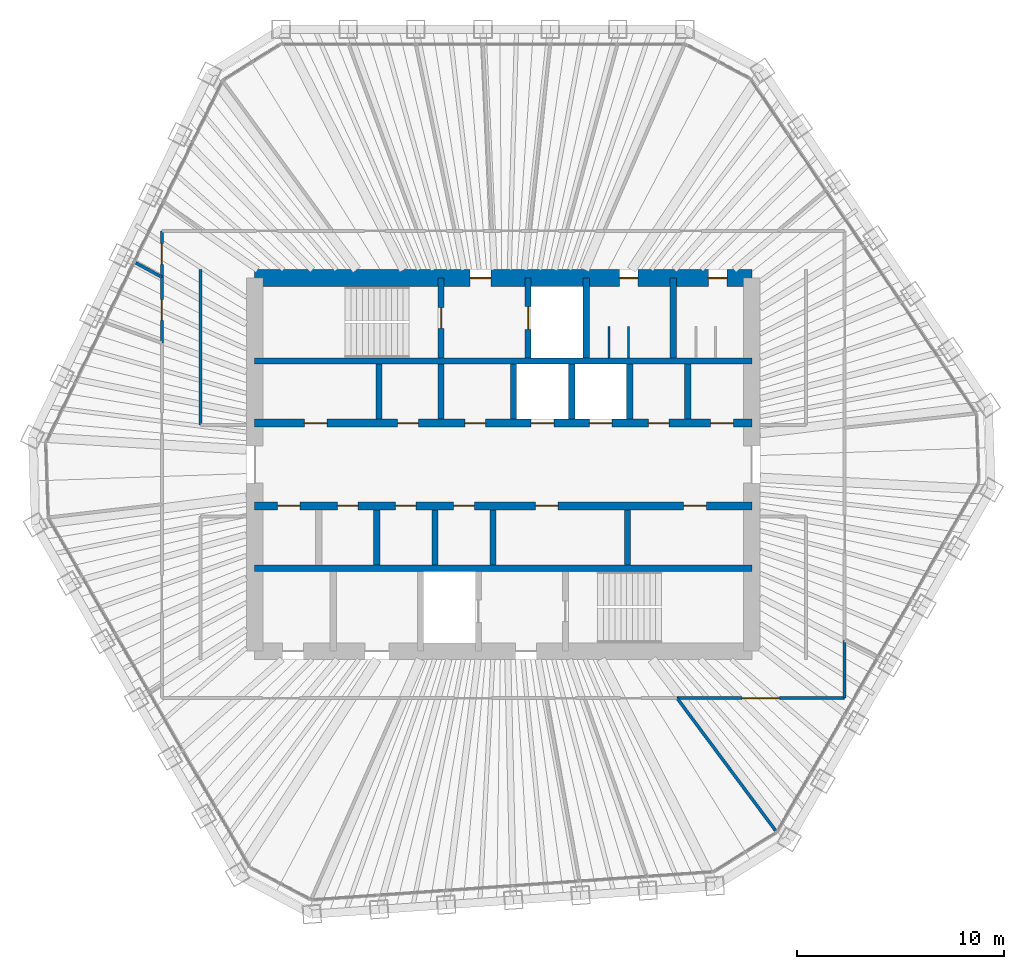
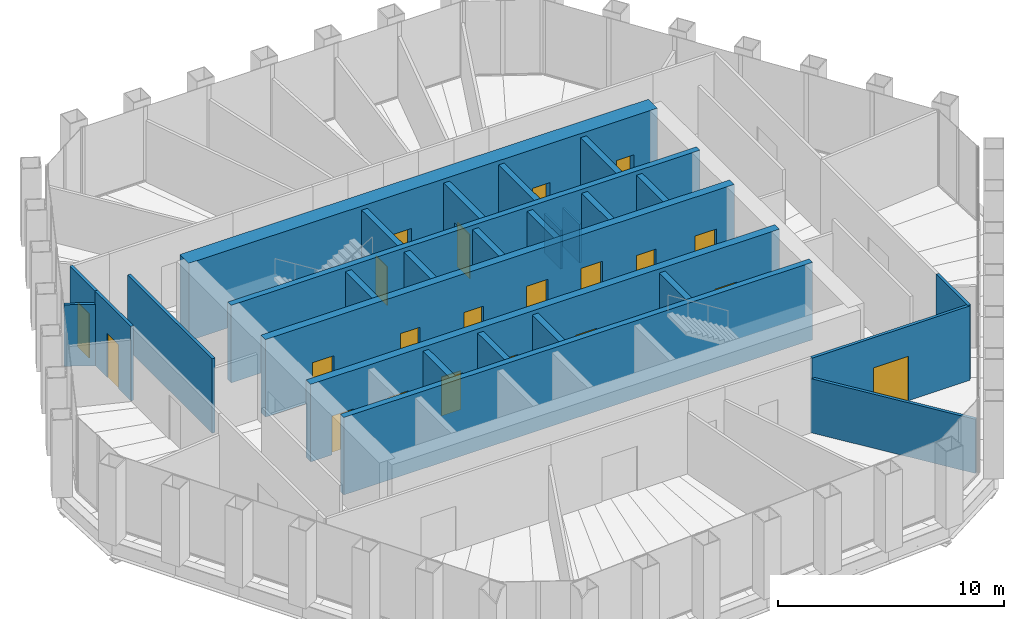
# One storey, part 12 of 14: 28 walls, 21 doors, 21 openings.
"""IFC4 building model written with IfcOpenShell, lengths in metres."""

from ifc_helpers import new_model, si_unit, direction, frame, frame_2d, origin, place, context, subcontext, project, spatial, rectangle, extrude, material, layer, layer_set, type_object, element, fill, save


model = new_model("IFC4")

# Units and contexts
model_context = context("Model", 3, precision=1e-05, world=origin(), true_north=direction((0.0, 1.0)))
body_context = subcontext(model_context, "Body", "Model", "MODEL_VIEW")
ifc_project = project(units=[si_unit("LENGTHUNIT", "METRE"), si_unit("AREAUNIT", "SQUARE_METRE"), si_unit("VOLUMEUNIT", "CUBIC_METRE"), si_unit("PLANEANGLEUNIT", "RADIAN"), si_unit("MASSUNIT", "GRAM", prefix="KILO")], contexts=[model_context])

# Site, building, storey
site_placement = place(None, origin())
site = spatial("IfcSite", under=ifc_project, at=site_placement, CompositionType="ELEMENT")
building_placement = place(site_placement, origin())
building = spatial("IfcBuilding", under=site, at=building_placement, Name="Qingtian Harvest Tower", CompositionType="ELEMENT")
storey_placement = place(building_placement, frame((0.0, 0.0, 316.60009765625)))
storey = spatial("IfcBuildingStorey", under=building, at=storey_placement, Name="L70", CompositionType="ELEMENT", Elevation=316.60009765625)

# Walls
ifc_material_1 = material(Name="Concrete fc' 70 MPa", Category="concrete")
ifc_layer_1 = layer(ifc_material_1, 0.300048828125)
ifc_layer_set_1 = layer_set([ifc_layer_1], Name="Core inner wall RC5 300")
wall_type_1 = type_object("IfcWallType", Name="Core inner wall RC5 300", PredefinedType="SHEAR", material=ifc_layer_set_1)
for number, where, z_axis, x_axis, name in (
    (1, (-12.0, 5.0, 0.0), (0.0, 0.0, 1.0), (1.0, 0.0, 0.0), "Core wall IN5 L70"),
    (2, (-12.0, -5.0, 0.0), (0.0, 0.0, 1.0), (1.0, 0.0, 0.0), "Core wall IS5 L70"),
):
    element("IfcWall", number, at=place(storey_placement, frame(where, z_axis=z_axis, x_axis=x_axis)), inside=storey, type_object=wall_type_1, Name=name, PredefinedType="SHEAR", context=body_context, shape_type="SweptSolid", body=[
        extrude(rectangle(XDim=24.0, YDim=0.300048828125, at=frame_2d((12.0, 0.0))), origin(), (0.0, 0.0, 1.0), 4.199951171875),
    ])

# Wall, openings, doors
ifc_material_2 = material(Name="Concrete fc' 70 MPa", Category="concrete")
ifc_layer_2 = layer(ifc_material_2, 0.39990234375)
ifc_layer_set_2 = layer_set([ifc_layer_2], Name="Core inner web RC6 400")
wall_type_2 = type_object("IfcWallType", Name="Core inner web RC6 400", PredefinedType="SHEAR", material=ifc_layer_set_2)
wall_1_placement = place(storey_placement, frame((-12.0, 2.0, 0.0), z_axis=(0.0, 0.0, 1.0), x_axis=(1.0, 0.0, 0.0)))
wall_1 = element("IfcWall", 3, at=wall_1_placement, inside=storey, type_object=wall_type_2, Name="Core wall IN2 L70", PredefinedType="SHEAR", context=body_context, shape_type="SweptSolid", body=[
    extrude(rectangle(XDim=24.0, YDim=0.39990234375, at=frame_2d((12.0, 0.0))), origin(), (0.0, 0.0, 1.0), 4.199951171875),
])
opening_1_placement = place(wall_1_placement, frame((2.39990234375, 0.0, 0.0)))
opening_1 = element("IfcOpeningElement", 4, at=opening_1_placement, cuts=wall_1, Name="Opening FD4", PredefinedType="OPENING", context=body_context, shape_type="SweptSolid", body=[
    extrude(rectangle(XDim=1.10009765625, YDim=2.10009765625, at=frame_2d((0.550048828125, 1.050048828125))), frame((0.0, 0.2099609375, 0.0), z_axis=(0.0, -1.0, 0.0), x_axis=(1.0, 0.0, 0.0)), (0.0, 0.0, 1.0), 0.419921875),
])
opening_2_placement = place(wall_1_placement, frame((22.0, 0.0, 0.0)))
opening_2 = element("IfcOpeningElement", 5, at=opening_2_placement, cuts=wall_1, Name="Opening FD4", PredefinedType="OPENING", context=body_context, shape_type="SweptSolid", body=[
    extrude(rectangle(XDim=1.10009765625, YDim=2.10009765625, at=frame_2d((0.550048828125, 1.050048828125))), frame((0.0, 0.2099609375, 0.0), z_axis=(0.0, -1.0, 0.0), x_axis=(1.0, 0.0, 0.0)), (0.0, 0.0, 1.0), 0.419921875),
])
opening_3_placement = place(wall_1_placement, frame((10.14990234375, 0.0, 0.0)))
opening_3 = element("IfcOpeningElement", 6, at=opening_3_placement, cuts=wall_1, Name="Opening FD1", PredefinedType="OPENING", context=body_context, shape_type="SweptSolid", body=[
    extrude(rectangle(XDim=1.0, YDim=2.10009765625, at=frame_2d((0.5, 1.050048828125))), frame((0.0, 0.2099609375, 0.0), z_axis=(0.0, -1.0, 0.0), x_axis=(1.0, 0.0, 0.0)), (0.0, 0.0, 1.0), 0.419921875),
])
opening_4_placement = place(wall_1_placement, frame((6.89990234375, 0.0, 0.0)))
opening_4 = element("IfcOpeningElement", 7, at=opening_4_placement, cuts=wall_1, Name="Opening FD1", PredefinedType="OPENING", context=body_context, shape_type="SweptSolid", body=[
    extrude(rectangle(XDim=1.0, YDim=2.10009765625, at=frame_2d((0.5, 1.050048828125))), frame((0.0, 0.2099609375, 0.0), z_axis=(0.0, -1.0, 0.0), x_axis=(1.0, 0.0, 0.0)), (0.0, 0.0, 1.0), 0.419921875),
])
opening_5_placement = place(wall_1_placement, frame((13.35009765625, 0.0, 0.0)))
opening_5 = element("IfcOpeningElement", 8, at=opening_5_placement, cuts=wall_1, Name="Opening LD1", PredefinedType="OPENING", context=body_context, shape_type="SweptSolid", body=[
    extrude(rectangle(XDim=1.10009765625, YDim=2.39990234375, at=frame_2d((0.550048828125, 1.199951171875))), frame((0.0, 0.2099609375, 0.0), z_axis=(0.0, -1.0, 0.0), x_axis=(1.0, 0.0, 0.0)), (0.0, 0.0, 1.0), 0.419921875),
])
opening_6_placement = place(wall_1_placement, frame((16.14990234375, 0.0, 0.0)))
opening_6 = element("IfcOpeningElement", 9, at=opening_6_placement, cuts=wall_1, Name="Opening LD1", PredefinedType="OPENING", context=body_context, shape_type="SweptSolid", body=[
    extrude(rectangle(XDim=1.10009765625, YDim=2.39990234375, at=frame_2d((0.550048828125, 1.199951171875))), frame((0.0, 0.2099609375, 0.0), z_axis=(0.0, -1.0, 0.0), x_axis=(1.0, 0.0, 0.0)), (0.0, 0.0, 1.0), 0.419921875),
])
opening_7_placement = place(wall_1_placement, frame((19.0, 0.0, 0.0)))
opening_7 = element("IfcOpeningElement", 10, at=opening_7_placement, cuts=wall_1, Name="Opening FD1", PredefinedType="OPENING", context=body_context, shape_type="SweptSolid", body=[
    extrude(rectangle(XDim=1.0, YDim=2.10009765625, at=frame_2d((0.5, 1.050048828125))), frame((0.0, 0.2099609375, 0.0), z_axis=(0.0, -1.0, 0.0), x_axis=(1.0, 0.0, 0.0)), (0.0, 0.0, 1.0), 0.419921875),
])
ifc_material_3 = material(Name="Steel-faced door leaf", Category="steel")
door_type_1 = type_object("IfcDoorType", Name="Fire door FD1 single 1 HR", OperationType="SINGLE_SWING_LEFT", PredefinedType="DOOR", material=ifc_material_3)
door_1_placement = place(opening_3_placement, origin())
door_1 = element("IfcDoor", 11, at=door_1_placement, inside=storey, type_object=door_type_1, Name="STA door L70", OperationType="SINGLE_SWING_LEFT", OverallHeight=2.10009765625, OverallWidth=1.0, PredefinedType="DOOR", context=body_context, shape_type="SweptSolid", body=[
    extrude(rectangle(XDim=1.0, YDim=2.10009765625, at=frame_2d((0.5, 1.050048828125))), frame((0.0, 0.02490234375, 0.0), z_axis=(0.0, -1.0, 0.0), x_axis=(1.0, 0.0, 0.0)), (0.0, 0.0, 1.0), 0.050048828125),
])
fill(opening_3, door_1)
door_2_placement = place(opening_4_placement, origin())
door_2 = element("IfcDoor", 12, at=door_2_placement, inside=storey, type_object=door_type_1, Name="Linen store door L70", OperationType="SINGLE_SWING_RIGHT", OverallHeight=2.10009765625, OverallWidth=1.0, PredefinedType="DOOR", context=body_context, shape_type="SweptSolid", body=[
    extrude(rectangle(XDim=1.0, YDim=2.10009765625, at=frame_2d((0.5, 1.050048828125))), frame((0.0, 0.02490234375, 0.0), z_axis=(0.0, -1.0, 0.0), x_axis=(1.0, 0.0, 0.0)), (0.0, 0.0, 1.0), 0.050048828125),
])
fill(opening_4, door_2)
door_3_placement = place(opening_7_placement, origin())
door_3 = element("IfcDoor", 13, at=door_3_placement, inside=storey, type_object=door_type_1, Name="Tool store door L70", OperationType="SINGLE_SWING_RIGHT", OverallHeight=2.10009765625, OverallWidth=1.0, PredefinedType="DOOR", context=body_context, shape_type="SweptSolid", body=[
    extrude(rectangle(XDim=1.0, YDim=2.10009765625, at=frame_2d((0.5, 1.050048828125))), frame((0.0, 0.02490234375, 0.0), z_axis=(0.0, -1.0, 0.0), x_axis=(1.0, 0.0, 0.0)), (0.0, 0.0, 1.0), 0.050048828125),
])
fill(opening_7, door_3)
ifc_material_4 = material(Name="Steel-faced door leaf", Category="steel")
door_type_2 = type_object("IfcDoorType", Name="Fire door FD4 single 2 HR", OperationType="SINGLE_SWING_LEFT", PredefinedType="DOOR", material=ifc_material_4)
door_4_placement = place(opening_1_placement, origin())
door_4 = element("IfcDoor", 14, at=door_4_placement, inside=storey, type_object=door_type_2, Name="RA door L70", OperationType="SINGLE_SWING_LEFT", OverallHeight=2.10009765625, OverallWidth=1.10009765625, PredefinedType="DOOR", context=body_context, shape_type="SweptSolid", body=[
    extrude(rectangle(XDim=1.10009765625, YDim=2.10009765625, at=frame_2d((0.550048828125, 1.050048828125))), frame((0.0, 0.02490234375, 0.0), z_axis=(0.0, -1.0, 0.0), x_axis=(1.0, 0.0, 0.0)), (0.0, 0.0, 1.0), 0.050048828125),
])
fill(opening_1, door_4)
door_5_placement = place(opening_2_placement, origin())
door_5 = element("IfcDoor", 15, at=door_5_placement, inside=storey, type_object=door_type_2, Name="AHU door L70", OperationType="SINGLE_SWING_RIGHT", OverallHeight=2.10009765625, OverallWidth=1.10009765625, PredefinedType="DOOR", context=body_context, shape_type="SweptSolid", body=[
    extrude(rectangle(XDim=1.10009765625, YDim=2.10009765625, at=frame_2d((0.550048828125, 1.050048828125))), frame((0.0, 0.02490234375, 0.0), z_axis=(0.0, -1.0, 0.0), x_axis=(1.0, 0.0, 0.0)), (0.0, 0.0, 1.0), 0.050048828125),
])
fill(opening_2, door_5)
ifc_material_5 = material(Name="Stainless steel lift landing door", Category="steel")
door_type_3 = type_object("IfcDoorType", Name="Lift landing door LD1 1 HR", OperationType="DOUBLE_DOOR_SLIDING", PredefinedType="DOOR", material=ifc_material_5)
door_6_placement = place(opening_5_placement, origin())
door_6 = element("IfcDoor", 16, at=door_6_placement, inside=storey, type_object=door_type_3, Name="PLD1 landing door L70", OperationType="DOUBLE_DOOR_SLIDING", OverallHeight=2.39990234375, OverallWidth=1.10009765625, PredefinedType="DOOR", context=body_context, shape_type="SweptSolid", body=[
    extrude(rectangle(XDim=1.10009765625, YDim=2.39990234375, at=frame_2d((0.550048828125, 1.199951171875))), frame((0.0, 0.02490234375, 0.0), z_axis=(0.0, -1.0, 0.0), x_axis=(1.0, 0.0, 0.0)), (0.0, 0.0, 1.0), 0.050048828125),
])
fill(opening_5, door_6)
door_7_placement = place(opening_6_placement, origin())
door_7 = element("IfcDoor", 17, at=door_7_placement, inside=storey, type_object=door_type_3, Name="PLD2 landing door L70", OperationType="DOUBLE_DOOR_SLIDING", OverallHeight=2.39990234375, OverallWidth=1.10009765625, PredefinedType="DOOR", context=body_context, shape_type="SweptSolid", body=[
    extrude(rectangle(XDim=1.10009765625, YDim=2.39990234375, at=frame_2d((0.550048828125, 1.199951171875))), frame((0.0, 0.02490234375, 0.0), z_axis=(0.0, -1.0, 0.0), x_axis=(1.0, 0.0, 0.0)), (0.0, 0.0, 1.0), 0.050048828125),
])
fill(opening_6, door_7)

wall_2_placement = place(storey_placement, frame((-12.0, -2.0, 0.0), z_axis=(0.0, 0.0, 1.0), x_axis=(1.0, 0.0, 0.0)))
wall_2 = element("IfcWall", 18, at=wall_2_placement, inside=storey, type_object=wall_type_2, Name="Core wall IS2 L70", PredefinedType="SHEAR", context=body_context, shape_type="SweptSolid", body=[
    extrude(rectangle(XDim=24.0, YDim=0.39990234375, at=frame_2d((12.0, 0.0))), origin(), (0.0, 0.0, 1.0), 4.199951171875),
])
opening_8_placement = place(wall_2_placement, frame((1.10009765625, 0.0, 0.0)))
opening_8 = element("IfcOpeningElement", 19, at=opening_8_placement, cuts=wall_2, Name="Opening FD4", PredefinedType="OPENING", context=body_context, shape_type="SweptSolid", body=[
    extrude(rectangle(XDim=1.10009765625, YDim=2.10009765625, at=frame_2d((0.550048828125, 1.050048828125))), frame((0.0, 0.2099609375, 0.0), z_axis=(0.0, -1.0, 0.0), x_axis=(1.0, 0.0, 0.0)), (0.0, 0.0, 1.0), 0.419921875),
])
opening_9_placement = place(wall_2_placement, frame((13.550048828125, 0.0, 0.0)))
opening_9 = element("IfcOpeningElement", 20, at=opening_9_placement, cuts=wall_2, Name="Opening FD4", PredefinedType="OPENING", context=body_context, shape_type="SweptSolid", body=[
    extrude(rectangle(XDim=1.10009765625, YDim=2.10009765625, at=frame_2d((0.550048828125, 1.050048828125))), frame((0.0, 0.2099609375, 0.0), z_axis=(0.0, -1.0, 0.0), x_axis=(1.0, 0.0, 0.0)), (0.0, 0.0, 1.0), 0.419921875),
])
opening_10_placement = place(wall_2_placement, frame((20.699951171875, 0.0, 0.0)))
opening_10 = element("IfcOpeningElement", 21, at=opening_10_placement, cuts=wall_2, Name="Opening FD4", PredefinedType="OPENING", context=body_context, shape_type="SweptSolid", body=[
    extrude(rectangle(XDim=1.10009765625, YDim=2.10009765625, at=frame_2d((0.550048828125, 1.050048828125))), frame((0.0, 0.2099609375, 0.0), z_axis=(0.0, -1.0, 0.0), x_axis=(1.0, 0.0, 0.0)), (0.0, 0.0, 1.0), 0.419921875),
])
opening_11_placement = place(wall_2_placement, frame((4.0, 0.0, 0.0)))
opening_11 = element("IfcOpeningElement", 22, at=opening_11_placement, cuts=wall_2, Name="Opening FD1", PredefinedType="OPENING", context=body_context, shape_type="SweptSolid", body=[
    extrude(rectangle(XDim=1.0, YDim=2.10009765625, at=frame_2d((0.5, 1.050048828125))), frame((0.0, 0.2099609375, 0.0), z_axis=(0.0, -1.0, 0.0), x_axis=(1.0, 0.0, 0.0)), (0.0, 0.0, 1.0), 0.419921875),
])
opening_12_placement = place(wall_2_placement, frame((6.800048828125, 0.0, 0.0)))
opening_12 = element("IfcOpeningElement", 23, at=opening_12_placement, cuts=wall_2, Name="Opening FD1", PredefinedType="OPENING", context=body_context, shape_type="SweptSolid", body=[
    extrude(rectangle(XDim=1.0, YDim=2.10009765625, at=frame_2d((0.5, 1.050048828125))), frame((0.0, 0.2099609375, 0.0), z_axis=(0.0, -1.0, 0.0), x_axis=(1.0, 0.0, 0.0)), (0.0, 0.0, 1.0), 0.419921875),
])
opening_13_placement = place(wall_2_placement, frame((9.60009765625, 0.0, 0.0)))
opening_13 = element("IfcOpeningElement", 24, at=opening_13_placement, cuts=wall_2, Name="Opening FD1", PredefinedType="OPENING", context=body_context, shape_type="SweptSolid", body=[
    extrude(rectangle(XDim=1.0, YDim=2.10009765625, at=frame_2d((0.5, 1.050048828125))), frame((0.0, 0.2099609375, 0.0), z_axis=(0.0, -1.0, 0.0), x_axis=(1.0, 0.0, 0.0)), (0.0, 0.0, 1.0), 0.419921875),
])
door_8_placement = place(opening_11_placement, origin())
door_8 = element("IfcDoor", 25, at=door_8_placement, inside=storey, type_object=door_type_1, Name="Archive store door L70", OperationType="SINGLE_SWING_RIGHT", OverallHeight=2.10009765625, OverallWidth=1.0, PredefinedType="DOOR", context=body_context, shape_type="SweptSolid", body=[
    extrude(rectangle(XDim=1.0, YDim=2.10009765625, at=frame_2d((0.5, 1.050048828125))), frame((0.0, 0.02490234375, 0.0), z_axis=(0.0, -1.0, 0.0), x_axis=(1.0, 0.0, 0.0)), (0.0, 0.0, 1.0), 0.050048828125),
])
fill(opening_11, door_8)
door_9_placement = place(opening_12_placement, origin())
door_9 = element("IfcDoor", 26, at=door_9_placement, inside=storey, type_object=door_type_1, Name="Staff WC door L70", OperationType="SINGLE_SWING_RIGHT", OverallHeight=2.10009765625, OverallWidth=1.0, PredefinedType="DOOR", context=body_context, shape_type="SweptSolid", body=[
    extrude(rectangle(XDim=1.0, YDim=2.10009765625, at=frame_2d((0.5, 1.050048828125))), frame((0.0, 0.02490234375, 0.0), z_axis=(0.0, -1.0, 0.0), x_axis=(1.0, 0.0, 0.0)), (0.0, 0.0, 1.0), 0.050048828125),
])
fill(opening_12, door_9)
door_10_placement = place(opening_13_placement, origin())
door_10 = element("IfcDoor", 27, at=door_10_placement, inside=storey, type_object=door_type_1, Name="IT room door L70", OperationType="SINGLE_SWING_RIGHT", OverallHeight=2.10009765625, OverallWidth=1.0, PredefinedType="DOOR", context=body_context, shape_type="SweptSolid", body=[
    extrude(rectangle(XDim=1.0, YDim=2.10009765625, at=frame_2d((0.5, 1.050048828125))), frame((0.0, 0.02490234375, 0.0), z_axis=(0.0, -1.0, 0.0), x_axis=(1.0, 0.0, 0.0)), (0.0, 0.0, 1.0), 0.050048828125),
])
fill(opening_13, door_10)
door_11_placement = place(opening_8_placement, origin())
door_11 = element("IfcDoor", 28, at=door_11_placement, inside=storey, type_object=door_type_2, Name="RB door L70", OperationType="SINGLE_SWING_LEFT", OverallHeight=2.10009765625, OverallWidth=1.10009765625, PredefinedType="DOOR", context=body_context, shape_type="SweptSolid", body=[
    extrude(rectangle(XDim=1.10009765625, YDim=2.10009765625, at=frame_2d((0.550048828125, 1.050048828125))), frame((0.0, 0.02490234375, 0.0), z_axis=(0.0, -1.0, 0.0), x_axis=(1.0, 0.0, 0.0)), (0.0, 0.0, 1.0), 0.050048828125),
])
fill(opening_8, door_11)
door_12_placement = place(opening_9_placement, origin())
door_12 = element("IfcDoor", 29, at=door_12_placement, inside=storey, type_object=door_type_2, Name="ELEC door L70", OperationType="SINGLE_SWING_RIGHT", OverallHeight=2.10009765625, OverallWidth=1.10009765625, PredefinedType="DOOR", context=body_context, shape_type="SweptSolid", body=[
    extrude(rectangle(XDim=1.10009765625, YDim=2.10009765625, at=frame_2d((0.550048828125, 1.050048828125))), frame((0.0, 0.02490234375, 0.0), z_axis=(0.0, -1.0, 0.0), x_axis=(1.0, 0.0, 0.0)), (0.0, 0.0, 1.0), 0.050048828125),
])
fill(opening_9, door_12)
door_13_placement = place(opening_10_placement, origin())
door_13 = element("IfcDoor", 30, at=door_13_placement, inside=storey, type_object=door_type_2, Name="DUCT door L70", OperationType="SINGLE_SWING_LEFT", OverallHeight=2.10009765625, OverallWidth=1.10009765625, PredefinedType="DOOR", context=body_context, shape_type="SweptSolid", body=[
    extrude(rectangle(XDim=1.10009765625, YDim=2.10009765625, at=frame_2d((0.550048828125, 1.050048828125))), frame((0.0, 0.02490234375, 0.0), z_axis=(0.0, -1.0, 0.0), x_axis=(1.0, 0.0, 0.0)), (0.0, 0.0, 1.0), 0.050048828125),
])
fill(opening_10, door_13)

# Wall, opening, door
ifc_material_6 = material(Name="Precast concrete shaft panel", Category="concrete")
ifc_layer_3 = layer(ifc_material_6, 0.300048828125)
ifc_layer_set_3 = layer_set([ifc_layer_3], Name="Core shaft partition SW1 300")
wall_type_3 = type_object("IfcWallType", Name="Core shaft partition SW1 300", PredefinedType="PARTITIONING", material=ifc_layer_set_3)
wall_3_placement = place(storey_placement, frame((-3.0, 5.14990234375, 0.0), z_axis=(0.0, 0.0, 1.0), x_axis=(0.0, 1.0, 0.0)))
wall_3 = element("IfcWall", 31, at=wall_3_placement, inside=storey, type_object=wall_type_3, Name="Core shaft partition XN1 L70", PredefinedType="PARTITIONING", context=body_context, shape_type="SweptSolid", body=[
    extrude(rectangle(XDim=3.85009765625, YDim=0.300048828125, at=frame_2d((1.925048828125, 0.0))), origin(), (0.0, 0.0, 1.0), 3.97998046875),
])
opening_14_placement = place(wall_3_placement, frame((1.425048828125, 0.0, 0.0)))
opening_14 = element("IfcOpeningElement", 32, at=opening_14_placement, cuts=wall_3, Name="Opening FD1", PredefinedType="OPENING", context=body_context, shape_type="SweptSolid", body=[
    extrude(rectangle(XDim=1.0, YDim=2.10009765625, at=frame_2d((0.5, 1.050048828125))), frame((0.0, 0.159912109375, 0.0), z_axis=(0.0, -1.0, 0.0), x_axis=(1.0, 0.0, 0.0)), (0.0, 0.0, 1.0), 0.320068359375),
])
door_14_placement = place(opening_14_placement, origin())
door_14 = element("IfcDoor", 33, at=door_14_placement, inside=storey, type_object=door_type_1, Name="S1 door L70", OperationType="SINGLE_SWING_RIGHT", OverallHeight=2.10009765625, OverallWidth=1.0, PredefinedType="DOOR", context=body_context, shape_type="SweptSolid", body=[
    extrude(rectangle(XDim=1.0, YDim=2.10009765625, at=frame_2d((0.5, 1.050048828125))), frame((0.0, 0.02490234375, 0.0), z_axis=(0.0, -1.0, 0.0), x_axis=(1.0, 0.0, 0.0)), (0.0, 0.0, 1.0), 0.050048828125),
])
fill(opening_14, door_14)

wall_4_placement = place(storey_placement, frame((1.199951171875, 5.14990234375, 0.0), z_axis=(0.0, 0.0, 1.0), x_axis=(0.0, 1.0, 0.0)))
wall_4 = element("IfcWall", 34, at=wall_4_placement, inside=storey, type_object=wall_type_3, Name="Core shaft partition XN2 L70", PredefinedType="PARTITIONING", context=body_context, shape_type="SweptSolid", body=[
    extrude(rectangle(XDim=3.85009765625, YDim=0.300048828125, at=frame_2d((1.925048828125, 0.0))), origin(), (0.0, 0.0, 1.0), 3.97998046875),
])
opening_15_placement = place(wall_4_placement, frame((1.375, 0.0, 0.0)))
opening_15 = element("IfcOpeningElement", 35, at=opening_15_placement, cuts=wall_4, Name="Opening LD1", PredefinedType="OPENING", context=body_context, shape_type="SweptSolid", body=[
    extrude(rectangle(XDim=1.10009765625, YDim=2.39990234375, at=frame_2d((0.550048828125, 1.199951171875))), frame((0.0, 0.159912109375, 0.0), z_axis=(0.0, -1.0, 0.0), x_axis=(1.0, 0.0, 0.0)), (0.0, 0.0, 1.0), 0.320068359375),
])
door_15_placement = place(opening_15_placement, origin())
door_15 = element("IfcDoor", 36, at=door_15_placement, inside=storey, type_object=door_type_3, Name="FL1 landing door L70", OperationType="DOUBLE_DOOR_SLIDING", OverallHeight=2.39990234375, OverallWidth=1.10009765625, PredefinedType="DOOR", context=body_context, shape_type="SweptSolid", body=[
    extrude(rectangle(XDim=1.10009765625, YDim=2.39990234375, at=frame_2d((0.550048828125, 1.199951171875))), frame((0.0, 0.02490234375, 0.0), z_axis=(0.0, -1.0, 0.0), x_axis=(1.0, 0.0, 0.0)), (0.0, 0.0, 1.0), 0.050048828125),
])
fill(opening_15, door_15)

# Walls
for number, where, z_axis, x_axis, name in (
    (37, (4.0, 5.14990234375, 0.0), (0.0, 0.0, 1.0), (0.0, 1.0, 0.0), "Core shaft partition XN3 L70"),
    (38, (8.199951171875, 5.14990234375, 0.0), (0.0, 0.0, 1.0), (0.0, 1.0, 0.0), "Core shaft partition XN4 L70"),
):
    element("IfcWall", number, at=place(storey_placement, frame(where, z_axis=z_axis, x_axis=x_axis)), inside=storey, type_object=wall_type_3, Name=name, PredefinedType="PARTITIONING", context=body_context, shape_type="SweptSolid", body=[
        extrude(rectangle(XDim=3.85009765625, YDim=0.300048828125, at=frame_2d((1.925048828125, 0.0))), origin(), (0.0, 0.0, 1.0), 3.97998046875),
    ])
for number, where, z_axis, x_axis, name in (
    (39, (-6.0, 2.199951171875, 0.0), (0.0, 0.0, 1.0), (0.0, 1.0, 0.0), "Core shaft partition XA1 L70"),
    (40, (-3.0, 2.199951171875, 0.0), (0.0, 0.0, 1.0), (0.0, 1.0, 0.0), "Core shaft partition XA2 L70"),
    (41, (0.5, 2.199951171875, 0.0), (0.0, 0.0, 1.0), (0.0, 1.0, 0.0), "Core shaft partition XA3 L70"),
    (42, (3.300048828125, 2.199951171875, 0.0), (0.0, 0.0, 1.0), (0.0, 1.0, 0.0), "Core shaft partition XA4 L70"),
    (43, (6.10009765625, 2.199951171875, 0.0), (0.0, 0.0, 1.0), (0.0, 1.0, 0.0), "Core shaft partition XA5 L70"),
    (44, (8.89990234375, 2.199951171875, 0.0), (0.0, 0.0, 1.0), (0.0, 1.0, 0.0), "Core shaft partition XA6 L70"),
    (45, (-6.10009765625, -4.85009765625, 0.0), (0.0, 0.0, 1.0), (0.0, 1.0, 0.0), "Core shaft partition XB2 L70"),
    (46, (-3.300048828125, -4.85009765625, 0.0), (0.0, 0.0, 1.0), (0.0, 1.0, 0.0), "Core shaft partition XB3 L70"),
    (47, (-0.5, -4.85009765625, 0.0), (0.0, 0.0, 1.0), (0.0, 1.0, 0.0), "Core shaft partition XB4 L70"),
    (48, (6.0, -4.85009765625, 0.0), (0.0, 0.0, 1.0), (0.0, 1.0, 0.0), "Core shaft partition XB5 L70"),
):
    element("IfcWall", number, at=place(storey_placement, frame(where, z_axis=z_axis, x_axis=x_axis)), inside=storey, type_object=wall_type_3, Name=name, PredefinedType="PARTITIONING", context=body_context, shape_type="SweptSolid", body=[
        extrude(rectangle(XDim=2.650146484375, YDim=0.300048828125, at=frame_2d((1.3251953125, 0.0))), origin(), (0.0, 0.0, 1.0), 3.97998046875),
    ])

# Wall, openings, doors
ifc_material_7 = material(Name="Concrete fc' 70 MPa", Category="concrete")
ifc_layer_4 = layer(ifc_material_7, 0.800048828125)
ifc_layer_set_4 = layer_set([ifc_layer_4], Name="Core wall RC4 800")
wall_type_4 = type_object("IfcWallType", Name="Core wall RC4 800", PredefinedType="SHEAR", material=ifc_layer_set_4)
wall_5_placement = place(storey_placement, frame((-12.0, 9.0, 0.0), z_axis=(0.0, 0.0, 1.0), x_axis=(1.0, 0.0, 0.0)))
wall_5 = element("IfcWall", 49, at=wall_5_placement, inside=storey, type_object=wall_type_4, Name="Core wall CN L70", PredefinedType="SHEAR", context=body_context, shape_type="SweptSolid", body=[
    extrude(rectangle(XDim=24.0, YDim=0.800048828125, at=frame_2d((12.0, 0.0))), origin(), (0.0, 0.0, 1.0), 4.199951171875),
])
opening_16_placement = place(wall_5_placement, frame((10.39990234375, 0.0, 0.0)))
opening_16 = element("IfcOpeningElement", 50, at=opening_16_placement, cuts=wall_5, Name="Opening FD1", PredefinedType="OPENING", context=body_context, shape_type="SweptSolid", body=[
    extrude(rectangle(XDim=1.0, YDim=2.10009765625, at=frame_2d((0.5, 1.050048828125))), frame((0.0, 0.409912109375, 0.0), z_axis=(0.0, -1.0, 0.0), x_axis=(1.0, 0.0, 0.0)), (0.0, 0.0, 1.0), 0.820068359375),
])
opening_17_placement = place(wall_5_placement, frame((17.60009765625, 0.0, 0.0)))
opening_17 = element("IfcOpeningElement", 51, at=opening_17_placement, cuts=wall_5, Name="Opening D1", PredefinedType="OPENING", context=body_context, shape_type="SweptSolid", body=[
    extrude(rectangle(XDim=0.89990234375, YDim=2.10009765625, at=frame_2d((0.449951171875, 1.050048828125))), frame((0.0, 0.409912109375, 0.0), z_axis=(0.0, -1.0, 0.0), x_axis=(1.0, 0.0, 0.0)), (0.0, 0.0, 1.0), 0.820068359375),
])
opening_18_placement = place(wall_5_placement, frame((21.89990234375, 0.0, 0.0)))
opening_18 = element("IfcOpeningElement", 52, at=opening_18_placement, cuts=wall_5, Name="Opening D1", PredefinedType="OPENING", context=body_context, shape_type="SweptSolid", body=[
    extrude(rectangle(XDim=0.89990234375, YDim=2.10009765625, at=frame_2d((0.449951171875, 1.050048828125))), frame((0.0, 0.409912109375, 0.0), z_axis=(0.0, -1.0, 0.0), x_axis=(1.0, 0.0, 0.0)), (0.0, 0.0, 1.0), 0.820068359375),
])
door_16_placement = place(opening_16_placement, origin())
door_16 = element("IfcDoor", 53, at=door_16_placement, inside=storey, type_object=door_type_1, Name="V1 door L70", OperationType="SINGLE_SWING_LEFT", OverallHeight=2.10009765625, OverallWidth=1.0, PredefinedType="DOOR", context=body_context, shape_type="SweptSolid", body=[
    extrude(rectangle(XDim=1.0, YDim=2.10009765625, at=frame_2d((0.5, 1.050048828125))), frame((0.0, 0.02490234375, 0.0), z_axis=(0.0, -1.0, 0.0), x_axis=(1.0, 0.0, 0.0)), (0.0, 0.0, 1.0), 0.050048828125),
])
fill(opening_16, door_16)
ifc_material_8 = material(Name="Laminated timber door leaf", Category="wood")
door_type_4 = type_object("IfcDoorType", Name="Toilet door D1 single", OperationType="SINGLE_SWING_LEFT", PredefinedType="DOOR", material=ifc_material_8)
door_17_placement = place(opening_17_placement, origin())
door_17 = element("IfcDoor", 54, at=door_17_placement, inside=storey, type_object=door_type_4, Name="WCM door L70", OperationType="SINGLE_SWING_LEFT", OverallHeight=2.10009765625, OverallWidth=0.89990234375, PredefinedType="DOOR", context=body_context, shape_type="SweptSolid", body=[
    extrude(rectangle(XDim=0.89990234375, YDim=2.10009765625, at=frame_2d((0.449951171875, 1.050048828125))), frame((0.0, 0.02490234375, 0.0), z_axis=(0.0, -1.0, 0.0), x_axis=(1.0, 0.0, 0.0)), (0.0, 0.0, 1.0), 0.050048828125),
])
fill(opening_17, door_17)
door_18_placement = place(opening_18_placement, origin())
door_18 = element("IfcDoor", 55, at=door_18_placement, inside=storey, type_object=door_type_4, Name="WCF door L70", OperationType="SINGLE_SWING_LEFT", OverallHeight=2.10009765625, OverallWidth=0.89990234375, PredefinedType="DOOR", context=body_context, shape_type="SweptSolid", body=[
    extrude(rectangle(XDim=0.89990234375, YDim=2.10009765625, at=frame_2d((0.449951171875, 1.050048828125))), frame((0.0, 0.02490234375, 0.0), z_axis=(0.0, -1.0, 0.0), x_axis=(1.0, 0.0, 0.0)), (0.0, 0.0, 1.0), 0.050048828125),
])
fill(opening_18, door_18)

# Wall
ifc_material_9 = material(Name="Gypsum board on steel studs", Category="steel")
ifc_layer_5 = layer(ifc_material_9, 0.14990234375)
ifc_layer_set_5 = layer_set([ifc_layer_5], Name="Partition PT1 150")
wall_type_5 = type_object("IfcWallType", Name="Partition PT1 150", PredefinedType="PARTITIONING", material=ifc_layer_set_5)
wall_6_placement = place(storey_placement, frame((16.47509765625, -8.48193359375, 0.0), z_axis=(0.0, 0.0, 1.0), x_axis=(0.0, -1.0, 0.0)))
element("IfcWall", 56, at=wall_6_placement, inside=storey, type_object=wall_type_5, Name="Workplace zone wall L70", PredefinedType="PARTITIONING", context=body_context, shape_type="SweptSolid", body=[
    extrude(rectangle(XDim=2.79296875, YDim=0.14990234375, at=frame_2d((1.396484375, 0.0))), origin(), (0.0, 0.0, 1.0), 4.02978515625),
])

# Wall, opening, door
wall_7_placement = place(storey_placement, frame((16.47509765625, -11.27490234375, 0.0), z_axis=(0.0, 0.0, 1.0), x_axis=(-1.0, 0.0, 0.0)))
wall_7 = element("IfcWall", 57, at=wall_7_placement, inside=storey, type_object=wall_type_5, Name="Workplace zone wall L70", PredefinedType="PARTITIONING", context=body_context, shape_type="SweptSolid", body=[
    extrude(rectangle(XDim=8.087890625, YDim=0.14990234375, at=frame_2d((4.0439453125, 0.0))), origin(), (0.0, 0.0, 1.0), 4.02978515625),
])
opening_19_placement = place(wall_7_placement, frame((3.14404296875, 0.0, 0.0)))
opening_19 = element("IfcOpeningElement", 58, at=opening_19_placement, cuts=wall_7, Name="Opening D3", PredefinedType="OPENING", context=body_context, shape_type="SweptSolid", body=[
    extrude(rectangle(XDim=1.800048828125, YDim=2.39990234375, at=frame_2d((0.89990234375, 1.199951171875))), frame((0.0, 0.0849609375, 0.0), z_axis=(0.0, -1.0, 0.0), x_axis=(1.0, 0.0, 0.0)), (0.0, 0.0, 1.0), 0.169921875),
])
ifc_material_10 = material(Name="Laminated timber door leaf", Category="wood")
door_type_5 = type_object("IfcDoorType", Name="Room door D3 double", OperationType="DOUBLE_DOOR_DOUBLE_SWING", PredefinedType="DOOR", material=ifc_material_10)
door_19_placement = place(opening_19_placement, origin())
door_19 = element("IfcDoor", 59, at=door_19_placement, inside=storey, type_object=door_type_5, Name="Workplace zone door L70", OperationType="DOUBLE_DOOR_DOUBLE_SWING", OverallHeight=2.39990234375, OverallWidth=1.800048828125, PredefinedType="DOOR", context=body_context, shape_type="SweptSolid", body=[
    extrude(rectangle(XDim=1.800048828125, YDim=2.39990234375, at=frame_2d((0.89990234375, 1.199951171875))), frame((0.0, 0.02490234375, 0.0), z_axis=(0.0, -1.0, 0.0), x_axis=(1.0, 0.0, 0.0)), (0.0, 0.0, 1.0), 0.050048828125),
])
fill(opening_19, door_19)

# Wall
wall_8_placement = place(storey_placement, frame((13.1376953125, -17.661376953125, 0.0), z_axis=(0.0, 0.0, 1.0), x_axis=(-0.596829877953, 0.802367806422, 0.0)))
element("IfcWall", 60, at=wall_8_placement, inside=storey, type_object=wall_type_5, Name="Private office wall L70", PredefinedType="PARTITIONING", context=body_context, shape_type="SweptSolid", body=[
    extrude(rectangle(XDim=7.95947265625, YDim=0.14990234375, at=frame_2d((3.979736328125, 0.0))), origin(), (0.0, 0.0, 1.0), 2.929931640625),
])

# Wall, opening, door
wall_9_placement = place(storey_placement, frame((-16.47509765625, 5.873046875, 0.0), z_axis=(0.0, 0.0, 1.0), x_axis=(0.0, 1.0, 0.0)))
wall_9 = element("IfcWall", 61, at=wall_9_placement, inside=storey, type_object=wall_type_5, Name="Focus room wall L70", PredefinedType="PARTITIONING", context=body_context, shape_type="SweptSolid", body=[
    extrude(rectangle(XDim=3.168701171875, YDim=0.14990234375, at=frame_2d((1.58447265625, 0.0))), origin(), (0.0, 0.0, 1.0), 4.02978515625),
])
opening_20_placement = place(wall_9_placement, frame((1.08447265625, 0.0, 0.0)))
opening_20 = element("IfcOpeningElement", 62, at=opening_20_placement, cuts=wall_9, Name="Opening D2", PredefinedType="OPENING", context=body_context, shape_type="SweptSolid", body=[
    extrude(rectangle(XDim=1.0, YDim=2.39990234375, at=frame_2d((0.5, 1.199951171875))), frame((0.0, 0.0849609375, 0.0), z_axis=(0.0, -1.0, 0.0), x_axis=(1.0, 0.0, 0.0)), (0.0, 0.0, 1.0), 0.169921875),
])
ifc_material_11 = material(Name="Laminated timber door leaf", Category="wood")
door_type_6 = type_object("IfcDoorType", Name="Room door D2 single", OperationType="SINGLE_SWING_LEFT", PredefinedType="DOOR", material=ifc_material_11)
door_20_placement = place(opening_20_placement, origin())
door_20 = element("IfcDoor", 63, at=door_20_placement, inside=storey, type_object=door_type_6, Name="Focus room door L70", OperationType="SINGLE_SWING_LEFT", OverallHeight=2.39990234375, OverallWidth=1.0, PredefinedType="DOOR", context=body_context, shape_type="SweptSolid", body=[
    extrude(rectangle(XDim=1.0, YDim=2.39990234375, at=frame_2d((0.5, 1.199951171875))), frame((0.0, 0.02490234375, 0.0), z_axis=(0.0, -1.0, 0.0), x_axis=(1.0, 0.0, 0.0)), (0.0, 0.0, 1.0), 0.050048828125),
])
fill(opening_20, door_20)

# Wall
wall_10_placement = place(storey_placement, frame((-17.72900390625, 9.72998046875, 0.0), z_axis=(0.0, 0.0, 1.0), x_axis=(0.876633607687, -0.481158516369, 0.0)))
element("IfcWall", 64, at=wall_10_placement, inside=storey, type_object=wall_type_5, Name="Store room wall L70", PredefinedType="PARTITIONING", context=body_context, shape_type="SweptSolid", body=[
    extrude(rectangle(XDim=1.430419921875, YDim=0.14990234375, at=frame_2d((0.71533203125, 0.0))), origin(), (0.0, 0.0, 1.0), 3.329833984375),
])

# Wall, opening, door
wall_11_placement = place(storey_placement, frame((-16.47509765625, 9.041748046875, 0.0), z_axis=(0.0, 0.0, 1.0), x_axis=(0.0, 1.0, 0.0)))
wall_11 = element("IfcWall", 65, at=wall_11_placement, inside=storey, type_object=wall_type_5, Name="Store room wall L70", PredefinedType="PARTITIONING", context=body_context, shape_type="SweptSolid", body=[
    extrude(rectangle(XDim=2.233154296875, YDim=0.14990234375, at=frame_2d((1.11669921875, 0.0))), origin(), (0.0, 0.0, 1.0), 4.02978515625),
])
opening_21_placement = place(wall_11_placement, frame((0.61669921875, 0.0, 0.0)))
opening_21 = element("IfcOpeningElement", 66, at=opening_21_placement, cuts=wall_11, Name="Opening D2", PredefinedType="OPENING", context=body_context, shape_type="SweptSolid", body=[
    extrude(rectangle(XDim=1.0, YDim=2.39990234375, at=frame_2d((0.5, 1.199951171875))), frame((0.0, 0.0849609375, 0.0), z_axis=(0.0, -1.0, 0.0), x_axis=(1.0, 0.0, 0.0)), (0.0, 0.0, 1.0), 0.169921875),
])
door_21_placement = place(opening_21_placement, origin())
door_21 = element("IfcDoor", 67, at=door_21_placement, inside=storey, type_object=door_type_6, Name="Store room door L70", OperationType="SINGLE_SWING_LEFT", OverallHeight=2.39990234375, OverallWidth=1.0, PredefinedType="DOOR", context=body_context, shape_type="SweptSolid", body=[
    extrude(rectangle(XDim=1.0, YDim=2.39990234375, at=frame_2d((0.5, 1.199951171875))), frame((0.0, 0.02490234375, 0.0), z_axis=(0.0, -1.0, 0.0), x_axis=(1.0, 0.0, 0.0)), (0.0, 0.0, 1.0), 0.050048828125),
])
fill(opening_21, door_21)

# Walls
wall_12_placement = place(storey_placement, frame((-14.60009765625, 1.89990234375, 0.0), z_axis=(0.0, 0.0, 1.0), x_axis=(0.0, 1.0, 0.0)))
element("IfcWall", 68, at=wall_12_placement, inside=storey, type_object=wall_type_5, Name="Breakout space wall L70", PredefinedType="PARTITIONING", context=body_context, shape_type="SweptSolid", body=[
    extrude(rectangle(XDim=7.5, YDim=0.14990234375, at=frame_2d((3.75, 0.0))), origin(), (0.0, 0.0, 1.0), 4.02978515625),
])
ifc_material_12 = material(Name="Compact laminate cubicle partition", Category="plastic")
ifc_layer_6 = layer(ifc_material_12, 0.10009765625)
ifc_layer_set_6 = layer_set([ifc_layer_6], Name="WC cubicle partition WP1 100")
wall_type_6 = type_object("IfcWallType", Name="WC cubicle partition WP1 100", PredefinedType="PARTITIONING", material=ifc_layer_set_6)
for number, where, z_axis, x_axis, name in (
    (69, (5.10009765625, 5.14990234375, 0.0), (0.0, 0.0, 1.0), (0.0, 1.0, 0.0), "WC cubicle partition WCM L70"),
    (70, (6.050048828125, 5.14990234375, 0.0), (0.0, 0.0, 1.0), (0.0, 1.0, 0.0), "WC cubicle partition WCM L70"),
):
    element("IfcWall", number, at=place(storey_placement, frame(where, z_axis=z_axis, x_axis=x_axis)), inside=storey, type_object=wall_type_6, Name=name, PredefinedType="PARTITIONING", context=body_context, shape_type="SweptSolid", body=[
        extrude(rectangle(XDim=1.5, YDim=0.10009765625, at=frame_2d((0.75, 0.0))), origin(), (0.0, 0.0, 1.0), 2.099853515625),
    ])

save(model, "model.ifc")
